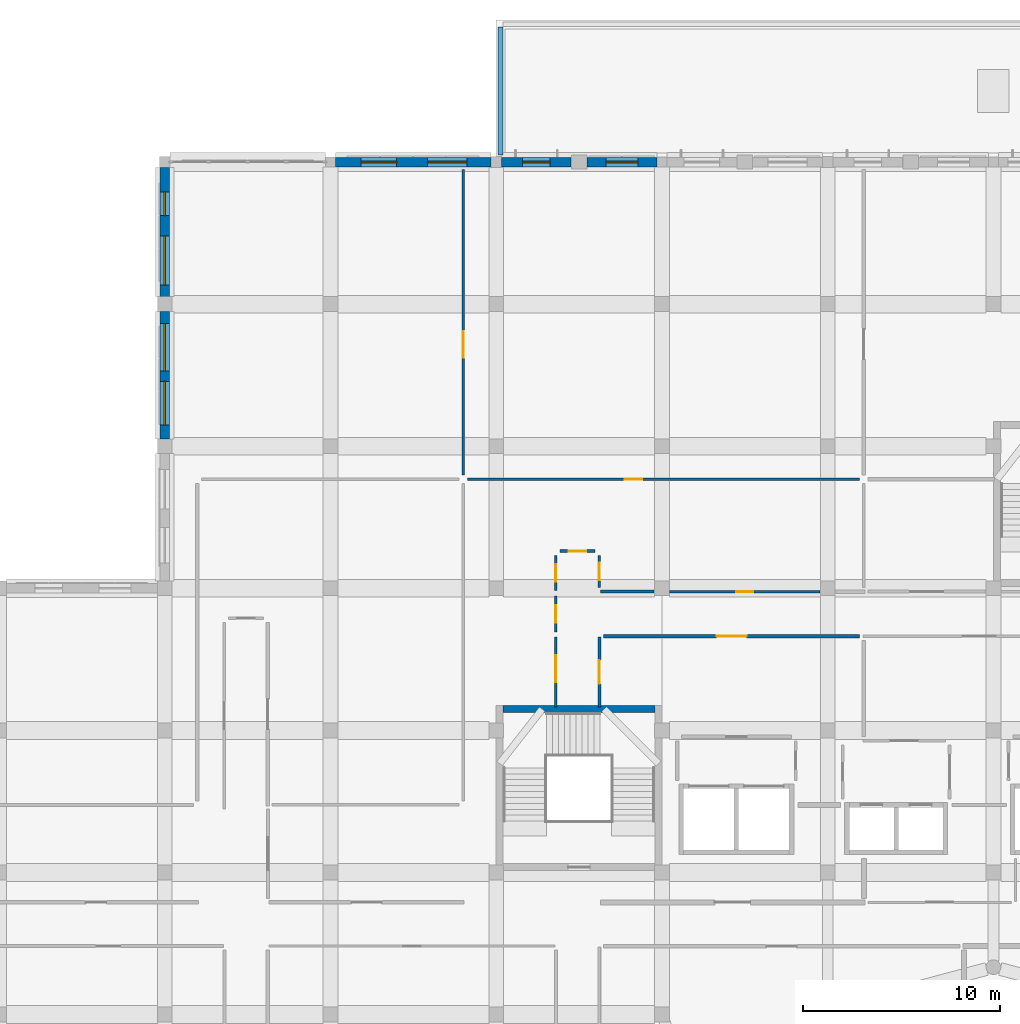
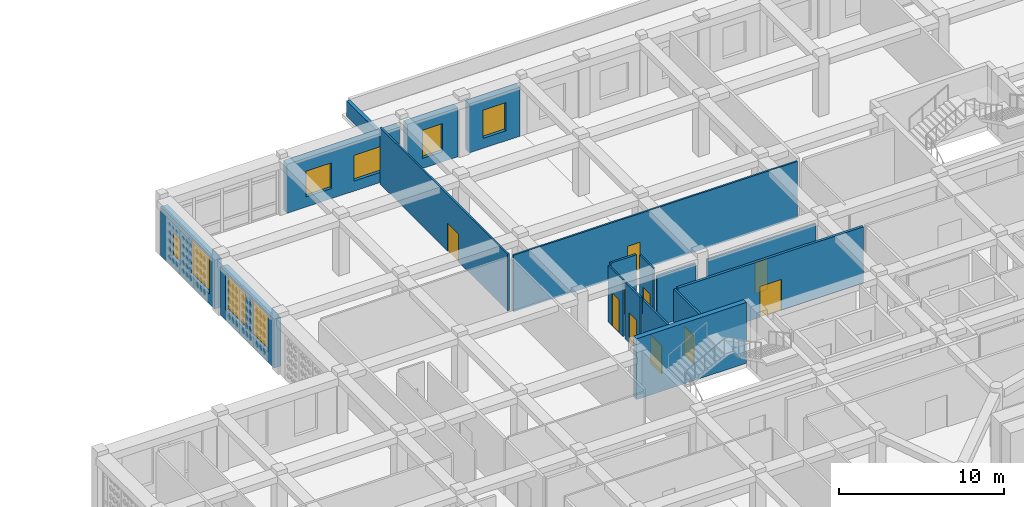
# One storey, part 67 of 111: 18 walls, 10 doors, 8 windows, 18 openings.
"""IFC4 building model written with IfcOpenShell, lengths in metres."""

from ifc_helpers import new_model, si_unit, derived_unit, direction, frame, frame_2d, origin, place, context, subcontext, project, spatial, rectangle, extrude, material, layer, layer_set, type_object, element, fill, save


model = new_model("IFC4")

# Units and contexts
model_context = context("Model", 3, precision=1e-05, world=origin(), true_north=direction((0.0, 1.0)))
body_context = subcontext(model_context, "Body", "Model", "MODEL_VIEW")
ifc_project = project(units=[si_unit("LENGTHUNIT", "METRE"), si_unit("AREAUNIT", "SQUARE_METRE"), si_unit("VOLUMEUNIT", "CUBIC_METRE"), si_unit("PLANEANGLEUNIT", "RADIAN"), si_unit("MASSUNIT", "GRAM", prefix="KILO"), derived_unit("THERMALTRANSMITTANCEUNIT", [(si_unit("POWERUNIT", "WATT"), 1), (si_unit("LENGTHUNIT", "METRE"), -2), (si_unit("THERMODYNAMICTEMPERATUREUNIT", "KELVIN"), -1)])], contexts=[model_context])

# Site, building, storey
site_placement = place(None, origin())
site = spatial("IfcSite", under=ifc_project, at=site_placement, CompositionType="ELEMENT")
building_placement = place(site_placement, origin())
building = spatial("IfcBuilding", under=site, at=building_placement, Name="Veybourne Emporium", CompositionType="ELEMENT")
storey_placement = place(building_placement, frame((0.0, 0.0, 9.89990234375)))
storey = spatial("IfcBuildingStorey", under=building, at=storey_placement, Name="L02", CompositionType="ELEMENT", Elevation=9.89990234375)

# Wall, openings, windows
ifc_material_1 = material(Name="Portland Limestone Ashlar", Category="masonry")
ifc_layer_1 = layer(ifc_material_1, 0.47998046875)
ifc_layer_set_1 = layer_set([ifc_layer_1], Name="Portland Limestone Ashlar")
wall_type_1 = type_object("IfcWallType", Name="ExtWall_EW-01", PredefinedType="SOLIDWALL", material=ifc_layer_set_1)
wall_1_placement = place(storey_placement, frame((33.60009765625, 93.97509765625, 0.0), z_axis=(0.0, 0.0, 1.0), x_axis=(0.0, 1.0, 0.0)))
wall_1 = element("IfcWall", 1, at=wall_1_placement, inside=storey, type_object=wall_type_1, Name="L02 Portland stone external wall 023", PredefinedType="SOLIDWALL", context=body_context, shape_type="SweptSolid", body=[
    extrude(rectangle(XDim=6.449951171875, YDim=0.47998046875, at=frame_2d((3.22509765625, 0.0))), origin(), (0.0, 0.0, 1.0), 3.630126953125),
])
opening_1_placement = place(wall_1_placement, frame((0.7060546875, 0.0, 0.75)))
opening_1 = element("IfcOpeningElement", 2, at=opening_1_placement, cuts=wall_1, Name="Opening W-54", PredefinedType="OPENING", context=body_context, shape_type="SweptSolid", body=[
    extrude(rectangle(XDim=2.199951171875, YDim=2.72998046875, at=frame_2d((1.10009765625, 1.364990234375))), frame((0.0, 0.260009765625, 0.0), z_axis=(0.0, -1.0, 0.0), x_axis=(1.0, 0.0, 0.0)), (0.0, 0.0, 1.0), 0.52001953125),
])
opening_2_placement = place(wall_1_placement, frame((3.444091796875, 0.0, 0.75)))
opening_2 = element("IfcOpeningElement", 3, at=opening_2_placement, cuts=wall_1, Name="Opening W-55", PredefinedType="OPENING", context=body_context, shape_type="SweptSolid", body=[
    extrude(rectangle(XDim=2.39990234375, YDim=2.72998046875, at=frame_2d((1.199951171875, 1.364990234375))), frame((0.0, 0.260009765625, 0.0), z_axis=(0.0, -1.0, 0.0), x_axis=(1.0, 0.0, 0.0)), (0.0, 0.0, 1.0), 0.52001953125),
])
ifc_material_2 = material(Name="Low-E Triple Glazing", Category="glass")
window_type_1 = type_object("IfcWindowType", Name="Win_W-54", PartitioningType="TRIPLE_PANEL_VERTICAL", PredefinedType="WINDOW", material=ifc_material_2)
window_1_placement = place(opening_1_placement, origin())
window_1 = element("IfcWindow", 4, at=window_1_placement, inside=storey, type_object=window_type_1, Name="L02 tripartite bronze casement window W-54 (23.1)", OverallHeight=2.72998046875, OverallWidth=2.199951171875, PartitioningType="TRIPLE_PANEL_VERTICAL", PredefinedType="WINDOW", context=body_context, shape_type="SweptSolid", body=[
    extrude(rectangle(XDim=2.199951171875, YDim=2.72998046875, at=frame_2d((1.10009765625, 1.364990234375))), frame((0.0, 0.030029296875, 0.0), z_axis=(0.0, -1.0, 0.0), x_axis=(1.0, 0.0, 0.0)), (0.0, 0.0, 1.0), 0.06005859375),
])
fill(opening_1, window_1)
window_type_2 = type_object("IfcWindowType", Name="Win_W-55", PartitioningType="TRIPLE_PANEL_VERTICAL", PredefinedType="WINDOW", material=ifc_material_2)
window_2_placement = place(opening_2_placement, origin())
window_2 = element("IfcWindow", 5, at=window_2_placement, inside=storey, type_object=window_type_2, Name="L02 tripartite bronze casement window W-55 (23.2)", OverallHeight=2.72998046875, OverallWidth=2.39990234375, PartitioningType="TRIPLE_PANEL_VERTICAL", PredefinedType="WINDOW", context=body_context, shape_type="SweptSolid", body=[
    extrude(rectangle(XDim=2.39990234375, YDim=2.72998046875, at=frame_2d((1.199951171875, 1.364990234375))), frame((0.0, 0.030029296875, 0.0), z_axis=(0.0, -1.0, 0.0), x_axis=(1.0, 0.0, 0.0)), (0.0, 0.0, 1.0), 0.06005859375),
])
fill(opening_2, window_2)

wall_2_placement = place(storey_placement, frame((33.60009765625, 101.175048828125, 0.0), z_axis=(0.0, 0.0, 1.0), x_axis=(0.0, 1.0, 0.0)))
wall_2 = element("IfcWall", 6, at=wall_2_placement, inside=storey, type_object=wall_type_1, Name="L02 Portland stone external wall 025", PredefinedType="SOLIDWALL", context=body_context, shape_type="SweptSolid", body=[
    extrude(rectangle(XDim=6.550048828125, YDim=0.47998046875, at=frame_2d((3.27490234375, 0.0))), origin(), (0.0, 0.0, 1.0), 3.630126953125),
])
opening_3_placement = place(wall_2_placement, frame((0.589111328125, 0.0, 0.75)))
opening_3 = element("IfcOpeningElement", 7, at=opening_3_placement, cuts=wall_2, Name="Opening W-56", PredefinedType="OPENING", context=body_context, shape_type="SweptSolid", body=[
    extrude(rectangle(XDim=2.489990234375, YDim=2.72998046875, at=frame_2d((1.2451171875, 1.364990234375))), frame((0.0, 0.260009765625, 0.0), z_axis=(0.0, -1.0, 0.0), x_axis=(1.0, 0.0, 0.0)), (0.0, 0.0, 1.0), 0.52001953125),
])
opening_4_placement = place(wall_2_placement, frame((4.115966796875, 0.0, 0.75)))
opening_4 = element("IfcOpeningElement", 8, at=opening_4_placement, cuts=wall_2, Name="Opening W-01", PredefinedType="OPENING", context=body_context, shape_type="SweptSolid", body=[
    extrude(rectangle(XDim=1.199951171875, YDim=1.89990234375, at=frame_2d((0.60009765625, 0.949951171875))), frame((0.0, 0.260009765625, 0.0), z_axis=(0.0, -1.0, 0.0), x_axis=(1.0, 0.0, 0.0)), (0.0, 0.0, 1.0), 0.52001953125),
])
window_type_3 = type_object("IfcWindowType", Name="Win_W-01", PartitioningType="SINGLE_PANEL", PredefinedType="WINDOW", material=ifc_material_2)
window_3_placement = place(opening_4_placement, origin())
window_3 = element("IfcWindow", 9, at=window_3_placement, inside=storey, type_object=window_type_3, Name="L02 tripartite bronze casement window W-01 (25.2)", OverallHeight=1.89990234375, OverallWidth=1.199951171875, PartitioningType="SINGLE_PANEL", PredefinedType="WINDOW", context=body_context, shape_type="SweptSolid", body=[
    extrude(rectangle(XDim=1.199951171875, YDim=1.89990234375, at=frame_2d((0.60009765625, 0.949951171875))), frame((0.0, 0.030029296875, 0.0), z_axis=(0.0, -1.0, 0.0), x_axis=(1.0, 0.0, 0.0)), (0.0, 0.0, 1.0), 0.06005859375),
])
fill(opening_4, window_3)
window_type_4 = type_object("IfcWindowType", Name="Win_W-56", PartitioningType="TRIPLE_PANEL_VERTICAL", PredefinedType="WINDOW", material=ifc_material_2)
window_4_placement = place(opening_3_placement, origin())
window_4 = element("IfcWindow", 10, at=window_4_placement, inside=storey, type_object=window_type_4, Name="L02 tripartite bronze casement window W-56 (25.1)", OverallHeight=2.72998046875, OverallWidth=2.489990234375, PartitioningType="TRIPLE_PANEL_VERTICAL", PredefinedType="WINDOW", context=body_context, shape_type="SweptSolid", body=[
    extrude(rectangle(XDim=2.489990234375, YDim=2.72998046875, at=frame_2d((1.2451171875, 1.364990234375))), frame((0.0, 0.030029296875, 0.0), z_axis=(0.0, -1.0, 0.0), x_axis=(1.0, 0.0, 0.0)), (0.0, 0.0, 1.0), 0.06005859375),
])
fill(opening_3, window_4)

wall_3_placement = place(storey_placement, frame((42.25, 108.0, 0.0), z_axis=(0.0, 0.0, 1.0), x_axis=(1.0, 0.0, 0.0)))
wall_3 = element("IfcWall", 11, at=wall_3_placement, inside=storey, type_object=wall_type_1, Name="L02 Portland stone external wall 028", PredefinedType="SOLIDWALL", context=body_context, shape_type="SweptSolid", body=[
    extrude(rectangle(XDim=7.875, YDim=0.47998046875, at=frame_2d((3.9375, 0.0))), origin(), (0.0, 0.0, 1.0), 3.630126953125),
])
opening_5_placement = place(wall_3_placement, frame((1.304931640625, 0.0, 0.75)))
opening_5 = element("IfcOpeningElement", 12, at=opening_5_placement, cuts=wall_3, Name="Opening W-04", PredefinedType="OPENING", context=body_context, shape_type="SweptSolid", body=[
    extrude(rectangle(XDim=1.800048828125, YDim=1.89990234375, at=frame_2d((0.89990234375, 0.949951171875))), frame((0.0, 0.260009765625, 0.0), z_axis=(0.0, -1.0, 0.0), x_axis=(1.0, 0.0, 0.0)), (0.0, 0.0, 1.0), 0.52001953125),
])
opening_6_placement = place(wall_3_placement, frame((4.669921875, 0.0, 0.75)))
opening_6 = element("IfcOpeningElement", 13, at=opening_6_placement, cuts=wall_3, Name="Opening W-05", PredefinedType="OPENING", context=body_context, shape_type="SweptSolid", body=[
    extrude(rectangle(XDim=2.0, YDim=1.89990234375, at=frame_2d((1.0, 0.949951171875))), frame((0.0, 0.260009765625, 0.0), z_axis=(0.0, -1.0, 0.0), x_axis=(1.0, 0.0, 0.0)), (0.0, 0.0, 1.0), 0.52001953125),
])
window_type_5 = type_object("IfcWindowType", Name="Win_W-04", PartitioningType="DOUBLE_PANEL_VERTICAL", PredefinedType="WINDOW", material=ifc_material_2)
window_5_placement = place(opening_5_placement, origin())
window_5 = element("IfcWindow", 14, at=window_5_placement, inside=storey, type_object=window_type_5, Name="L02 tripartite bronze casement window W-04 (28.1)", OverallHeight=1.89990234375, OverallWidth=1.800048828125, PartitioningType="DOUBLE_PANEL_VERTICAL", PredefinedType="WINDOW", context=body_context, shape_type="SweptSolid", body=[
    extrude(rectangle(XDim=1.800048828125, YDim=1.89990234375, at=frame_2d((0.89990234375, 0.949951171875))), frame((0.0, 0.030029296875, 0.0), z_axis=(0.0, -1.0, 0.0), x_axis=(1.0, 0.0, 0.0)), (0.0, 0.0, 1.0), 0.06005859375),
])
fill(opening_5, window_5)
window_type_6 = type_object("IfcWindowType", Name="Win_W-05", PartitioningType="TRIPLE_PANEL_VERTICAL", PredefinedType="WINDOW", material=ifc_material_2)
window_6_placement = place(opening_6_placement, origin())
window_6 = element("IfcWindow", 15, at=window_6_placement, inside=storey, type_object=window_type_6, Name="L02 tripartite bronze casement window W-05 (28.2)", OverallHeight=1.89990234375, OverallWidth=2.0, PartitioningType="TRIPLE_PANEL_VERTICAL", PredefinedType="WINDOW", context=body_context, shape_type="SweptSolid", body=[
    extrude(rectangle(XDim=2.0, YDim=1.89990234375, at=frame_2d((1.0, 0.949951171875))), frame((0.0, 0.030029296875, 0.0), z_axis=(0.0, -1.0, 0.0), x_axis=(1.0, 0.0, 0.0)), (0.0, 0.0, 1.0), 0.06005859375),
])
fill(opening_6, window_6)

# Wall, opening, window
wall_4_placement = place(storey_placement, frame((50.675048828125, 108.0, 0.0), z_axis=(0.0, 0.0, 1.0), x_axis=(1.0, 0.0, 0.0)))
wall_4 = element("IfcWall", 16, at=wall_4_placement, inside=storey, type_object=wall_type_1, Name="L02 Portland stone external wall 032A", PredefinedType="SOLIDWALL", context=body_context, shape_type="SweptSolid", body=[
    extrude(rectangle(XDim=3.52490234375, YDim=0.47998046875, at=frame_2d((1.762451171875, 0.0))), origin(), (0.0, 0.0, 1.0), 3.630126953125),
])
opening_7_placement = place(wall_4_placement, frame((1.0625, 0.0, 0.75)))
opening_7 = element("IfcOpeningElement", 17, at=opening_7_placement, cuts=wall_4, Name="Opening W-10", PredefinedType="OPENING", context=body_context, shape_type="SweptSolid", body=[
    extrude(rectangle(XDim=1.39990234375, YDim=2.080078125, at=frame_2d((0.699951171875, 1.0400390625))), frame((0.0, 0.260009765625, 0.0), z_axis=(0.0, -1.0, 0.0), x_axis=(1.0, 0.0, 0.0)), (0.0, 0.0, 1.0), 0.52001953125),
])
window_type_7 = type_object("IfcWindowType", Name="Win_W-10", PartitioningType="DOUBLE_PANEL_VERTICAL", PredefinedType="WINDOW", material=ifc_material_2)
window_7_placement = place(opening_7_placement, origin())
window_7 = element("IfcWindow", 18, at=window_7_placement, inside=storey, type_object=window_type_7, Name="L02 tripartite bronze casement window W-10 (32A)", OverallHeight=2.080078125, OverallWidth=1.39990234375, PartitioningType="DOUBLE_PANEL_VERTICAL", PredefinedType="WINDOW", context=body_context, shape_type="SweptSolid", body=[
    extrude(rectangle(XDim=1.39990234375, YDim=2.080078125, at=frame_2d((0.699951171875, 1.0400390625))), frame((0.0, 0.030029296875, 0.0), z_axis=(0.0, -1.0, 0.0), x_axis=(1.0, 0.0, 0.0)), (0.0, 0.0, 1.0), 0.06005859375),
])
fill(opening_7, window_7)

wall_5_placement = place(storey_placement, frame((55.0, 108.0, 0.0), z_axis=(0.0, 0.0, 1.0), x_axis=(1.0, 0.0, 0.0)))
wall_5 = element("IfcWall", 19, at=wall_5_placement, inside=storey, type_object=wall_type_1, Name="L02 Portland stone external wall 032B", PredefinedType="SOLIDWALL", context=body_context, shape_type="SweptSolid", body=[
    extrude(rectangle(XDim=3.550048828125, YDim=0.47998046875, at=frame_2d((1.77490234375, 0.0))), origin(), (0.0, 0.0, 1.0), 3.630126953125),
])
opening_8_placement = place(wall_5_placement, frame((0.97509765625, 0.0, 0.75)))
opening_8 = element("IfcOpeningElement", 20, at=opening_8_placement, cuts=wall_5, Name="Opening W-11", PredefinedType="OPENING", context=body_context, shape_type="SweptSolid", body=[
    extrude(rectangle(XDim=1.60009765625, YDim=2.080078125, at=frame_2d((0.800048828125, 1.0400390625))), frame((0.0, 0.260009765625, 0.0), z_axis=(0.0, -1.0, 0.0), x_axis=(1.0, 0.0, 0.0)), (0.0, 0.0, 1.0), 0.52001953125),
])
window_type_8 = type_object("IfcWindowType", Name="Win_W-11", PartitioningType="DOUBLE_PANEL_VERTICAL", PredefinedType="WINDOW", material=ifc_material_2)
window_8_placement = place(opening_8_placement, origin())
window_8 = element("IfcWindow", 21, at=window_8_placement, inside=storey, type_object=window_type_8, Name="L02 tripartite bronze casement window W-11 (32B)", OverallHeight=2.080078125, OverallWidth=1.60009765625, PartitioningType="DOUBLE_PANEL_VERTICAL", PredefinedType="WINDOW", context=body_context, shape_type="SweptSolid", body=[
    extrude(rectangle(XDim=1.60009765625, YDim=2.080078125, at=frame_2d((0.800048828125, 1.0400390625))), frame((0.0, 0.030029296875, 0.0), z_axis=(0.0, -1.0, 0.0), x_axis=(1.0, 0.0, 0.0)), (0.0, 0.0, 1.0), 0.06005859375),
])
fill(opening_8, window_8)

# Walls
ifc_material_3 = material(Name="Precast concrete C40/50", Category="concrete")
ifc_layer_2 = layer(ifc_material_3, 0.239990234375)
ifc_layer_set_2 = layer_set([ifc_layer_2], Name="Precast concrete C40/50")
wall_type_2 = type_object("IfcWallType", Name="ExtWall_PW-02", PredefinedType="PARAPET", material=ifc_layer_set_2)
wall_6_placement = place(storey_placement, frame((50.6201171875, 108.35009765625, 0.0), z_axis=(0.0, 0.0, 1.0), x_axis=(0.0, 1.0, 0.0)))
element("IfcWall", 22, at=wall_6_placement, inside=storey, type_object=wall_type_2, Name="L02 roof parapet wall 004", PredefinedType="PARAPET", context=body_context, shape_type="SweptSolid", body=[
    extrude(rectangle(XDim=6.5, YDim=0.239990234375, at=frame_2d((3.25, 0.0))), origin(), (0.0, 0.0, 1.0), 1.150146484375),
])
ifc_material_4 = material(Name="Concrete C40/50", Category="concrete")
ifc_layer_3 = layer(ifc_material_4, 0.35009765625)
ifc_layer_set_3 = layer_set([ifc_layer_3], Name="Concrete C40/50")
wall_type_3 = type_object("IfcWallType", Name="IntWall_CW-02", PredefinedType="SHEAR", material=ifc_layer_set_3)
wall_7_placement = place(storey_placement, frame((50.75, 80.27490234375, 0.0), z_axis=(0.0, 0.0, 1.0), x_axis=(1.0, 0.0, 0.0)))
element("IfcWall", 23, at=wall_7_placement, inside=storey, type_object=wall_type_3, Name="Core stair ST-03 north shear wall (L02)", PredefinedType="SHEAR", context=body_context, shape_type="SweptSolid", body=[
    extrude(rectangle(XDim=7.699951171875, YDim=0.35009765625, at=frame_2d((3.85009765625, 0.0))), origin(), (0.0, 0.0, 1.0), 4.5),
])

# Wall, opening, door
ifc_material_5 = material(Name="Gypsum Acoustic Board", Category="gypsum")
ifc_layer_4 = layer(ifc_material_5, 0.179931640625)
ifc_layer_set_4 = layer_set([ifc_layer_4], Name="Gypsum Acoustic Board")
wall_type_4 = type_object("IfcWallType", Name="IntWall_IW-01", PredefinedType="PARTITIONING", material=ifc_layer_set_4)
wall_8_placement = place(storey_placement, frame((55.840087890625, 83.969970703125, 0.0), z_axis=(0.0, 0.0, 1.0), x_axis=(1.0, 0.0, 0.0)))
wall_8 = element("IfcWall", 24, at=wall_8_placement, inside=storey, type_object=wall_type_4, Name="L02 interior partition IW-01 #039", PredefinedType="PARTITIONING", context=body_context, shape_type="SweptSolid", body=[
    extrude(rectangle(XDim=12.97998046875, YDim=0.179931640625, at=frame_2d((6.489990234375, 0.0))), origin(), (0.0, 0.0, 1.0), 4.18017578125),
])
opening_9_placement = place(wall_8_placement, frame((5.72998046875, 0.0, 0.0)))
opening_9 = element("IfcOpeningElement", 25, at=opening_9_placement, cuts=wall_8, Name="Opening D-23", PredefinedType="OPENING", context=body_context, shape_type="SweptSolid", body=[
    extrude(rectangle(XDim=1.52001953125, YDim=2.2900390625, at=frame_2d((0.760009765625, 1.14501953125))), frame((0.0, 0.10986328125, 0.0), z_axis=(0.0, -1.0, 0.0), x_axis=(1.0, 0.0, 0.0)), (0.0, 0.0, 1.0), 0.219970703125),
])
ifc_material_6 = material(Name="European Oak Veneer and Bronze", Category="wood")
door_type_1 = type_object("IfcDoorType", Name="IntDoor_D-23", OperationType="NOTDEFINED", PredefinedType="DOOR", material=ifc_material_6)
door_1_placement = place(opening_9_placement, origin())
door_1 = element("IfcDoor", 26, at=door_1_placement, inside=storey, type_object=door_type_1, Name="L02 interior door D-23 (PART-L02-039)", OperationType="SINGLE_SWING_RIGHT", OverallHeight=2.2900390625, OverallWidth=1.52001953125, PredefinedType="DOOR", context=body_context, shape_type="SweptSolid", body=[
    extrude(rectangle(XDim=1.52001953125, YDim=2.2900390625, at=frame_2d((0.760009765625, 1.14501953125))), frame((0.0, 0.02490234375, 0.0), z_axis=(0.0, -1.0, 0.0), x_axis=(1.0, 0.0, 0.0)), (0.0, 0.0, 1.0), 0.050048828125),
])
fill(opening_9, door_1)

# Wall
ifc_layer_5 = layer(ifc_material_5, 0.14990234375)
ifc_layer_set_5 = layer_set([ifc_layer_5], Name="Gypsum Acoustic Board")
wall_type_5 = type_object("IfcWallType", Name="IntWall_IW-02", PredefinedType="PARTITIONING", material=ifc_layer_set_5)
wall_9_placement = place(storey_placement, frame((55.679931640625, 86.22998046875, 0.0), z_axis=(0.0, 0.0, 1.0), x_axis=(1.0, 0.0, 0.0)))
element("IfcWall", 27, at=wall_9_placement, inside=storey, type_object=wall_type_5, Name="L02 interior partition IW-02 #034", PredefinedType="PARTITIONING", context=body_context, shape_type="SweptSolid", body=[
    extrude(rectangle(XDim=2.72509765625, YDim=0.14990234375, at=frame_2d((1.362548828125, 0.0))), origin(), (0.0, 0.0, 1.0), 3.72998046875),
])

# Wall, opening, door
wall_10_placement = place(storey_placement, frame((55.6298828125, 80.389892578125, 0.0), z_axis=(0.0, 0.0, 1.0), x_axis=(0.0, 1.0, 0.0)))
wall_10 = element("IfcWall", 28, at=wall_10_placement, inside=storey, type_object=wall_type_5, Name="L02 interior partition IW-02 #097", PredefinedType="PARTITIONING", context=body_context, shape_type="SweptSolid", body=[
    extrude(rectangle(XDim=3.530029296875, YDim=0.14990234375, at=frame_2d((1.76513671875, 0.0))), origin(), (0.0, 0.0, 1.0), 4.18017578125),
])
opening_10_placement = place(wall_10_placement, frame((1.1650390625, 0.0, 0.0)))
opening_10 = element("IfcOpeningElement", 29, at=opening_10_placement, cuts=wall_10, Name="Opening D-09", PredefinedType="OPENING", context=body_context, shape_type="SweptSolid", body=[
    extrude(rectangle(XDim=1.199951171875, YDim=2.1298828125, at=frame_2d((0.60009765625, 1.06494140625))), frame((0.0, 0.094970703125, 0.0), z_axis=(0.0, -1.0, 0.0), x_axis=(1.0, 0.0, 0.0)), (0.0, 0.0, 1.0), 0.18994140625),
])
door_type_2 = type_object("IfcDoorType", Name="IntDoor_D-09", OperationType="NOTDEFINED", PredefinedType="DOOR", material=ifc_material_6)
door_2_placement = place(opening_10_placement, origin())
door_2 = element("IfcDoor", 30, at=door_2_placement, inside=storey, type_object=door_type_2, Name="L02 interior door D-09 (PART-L02-097)", OperationType="SINGLE_SWING_LEFT", OverallHeight=2.1298828125, OverallWidth=1.199951171875, PredefinedType="DOOR", context=body_context, shape_type="SweptSolid", body=[
    extrude(rectangle(XDim=1.199951171875, YDim=2.1298828125, at=frame_2d((0.60009765625, 1.06494140625))), frame((0.0, 0.02490234375, 0.0), z_axis=(0.0, -1.0, 0.0), x_axis=(1.0, 0.0, 0.0)), (0.0, 0.0, 1.0), 0.050048828125),
])
fill(opening_10, door_2)

wall_11_placement = place(storey_placement, frame((53.6298828125, 88.280029296875, 0.0), z_axis=(0.0, 0.0, 1.0), x_axis=(1.0, 0.0, 0.0)))
wall_11 = element("IfcWall", 31, at=wall_11_placement, inside=storey, type_object=wall_type_5, Name="L02 interior partition IW-02 #154", PredefinedType="PARTITIONING", context=body_context, shape_type="SweptSolid", body=[
    extrude(rectangle(XDim=1.7900390625, YDim=0.14990234375, at=frame_2d((0.89501953125, 0.0))), origin(), (0.0, 0.0, 1.0), 4.18017578125),
])
opening_11_placement = place(wall_11_placement, frame((0.455078125, 0.0, 0.0)))
opening_11 = element("IfcOpeningElement", 32, at=opening_11_placement, cuts=wall_11, Name="Opening D-01", PredefinedType="OPENING", context=body_context, shape_type="SweptSolid", body=[
    extrude(rectangle(XDim=0.8798828125, YDim=2.050048828125, at=frame_2d((0.43994140625, 1.02490234375))), frame((0.0, 0.094970703125, 0.0), z_axis=(0.0, -1.0, 0.0), x_axis=(1.0, 0.0, 0.0)), (0.0, 0.0, 1.0), 0.18994140625),
])
door_type_3 = type_object("IfcDoorType", Name="IntDoor_D-01", OperationType="NOTDEFINED", PredefinedType="DOOR", material=ifc_material_6)
door_3_placement = place(opening_11_placement, origin())
door_3 = element("IfcDoor", 33, at=door_3_placement, inside=storey, type_object=door_type_3, Name="L02 interior door D-01 (PART-L02-154)", OperationType="SINGLE_SWING_RIGHT", OverallHeight=2.050048828125, OverallWidth=0.8798828125, PredefinedType="DOOR", context=body_context, shape_type="SweptSolid", body=[
    extrude(rectangle(XDim=0.8798828125, YDim=2.050048828125, at=frame_2d((0.43994140625, 1.02490234375))), frame((0.0, 0.02490234375, 0.0), z_axis=(0.0, -1.0, 0.0), x_axis=(1.0, 0.0, 0.0)), (0.0, 0.0, 1.0), 0.050048828125),
])
fill(opening_11, door_3)

ifc_layer_6 = layer(ifc_material_5, 0.1201171875)
ifc_layer_set_6 = layer_set([ifc_layer_6], Name="Gypsum Acoustic Board")
wall_type_6 = type_object("IfcWallType", Name="IntWall_IW-03", PredefinedType="PARTITIONING", material=ifc_layer_set_6)
wall_12_placement = place(storey_placement, frame((59.195068359375, 86.22998046875, 0.0), z_axis=(0.0, 0.0, 1.0), x_axis=(1.0, 0.0, 0.0)))
wall_12 = element("IfcWall", 34, at=wall_12_placement, inside=storey, type_object=wall_type_6, Name="L02 interior partition IW-03 #035", PredefinedType="PARTITIONING", context=body_context, shape_type="SweptSolid", body=[
    extrude(rectangle(XDim=7.60986328125, YDim=0.1201171875, at=frame_2d((3.804931640625, 0.0))), origin(), (0.0, 0.0, 1.0), 3.72998046875),
])
opening_12_placement = place(wall_12_placement, frame((3.364990234375, 0.0, 0.0)))
opening_12 = element("IfcOpeningElement", 35, at=opening_12_placement, cuts=wall_12, Name="Opening D-19", PredefinedType="OPENING", context=body_context, shape_type="SweptSolid", body=[
    extrude(rectangle(XDim=0.8798828125, YDim=2.2900390625, at=frame_2d((0.43994140625, 1.14501953125))), frame((0.0, 0.080078125, 0.0), z_axis=(0.0, -1.0, 0.0), x_axis=(1.0, 0.0, 0.0)), (0.0, 0.0, 1.0), 0.16015625),
])
door_type_4 = type_object("IfcDoorType", Name="IntDoor_D-19", OperationType="NOTDEFINED", PredefinedType="DOOR", material=ifc_material_6)
door_4_placement = place(opening_12_placement, origin())
door_4 = element("IfcDoor", 36, at=door_4_placement, inside=storey, type_object=door_type_4, Name="L02 interior door D-19 (PART-L02-035)", OperationType="SINGLE_SWING_LEFT", OverallHeight=2.2900390625, OverallWidth=0.8798828125, PredefinedType="DOOR", context=body_context, shape_type="SweptSolid", body=[
    extrude(rectangle(XDim=0.8798828125, YDim=2.2900390625, at=frame_2d((0.43994140625, 1.14501953125))), frame((0.0, 0.02490234375, 0.0), z_axis=(0.0, -1.0, 0.0), x_axis=(1.0, 0.0, 0.0)), (0.0, 0.0, 1.0), 0.050048828125),
])
fill(opening_12, door_4)

wall_13_placement = place(storey_placement, frame((53.419921875, 80.389892578125, 0.0), z_axis=(0.0, 0.0, 1.0), x_axis=(0.0, 1.0, 0.0)))
wall_13 = element("IfcWall", 37, at=wall_13_placement, inside=storey, type_object=wall_type_6, Name="L02 interior partition IW-03 #098", PredefinedType="PARTITIONING", context=body_context, shape_type="SweptSolid", body=[
    extrude(rectangle(XDim=3.530029296875, YDim=0.1201171875, at=frame_2d((1.76513671875, 0.0))), origin(), (0.0, 0.0, 1.0), 4.18017578125),
])
opening_13_placement = place(wall_13_placement, frame((1.258544921875, 0.0, 0.0)))
opening_13 = element("IfcOpeningElement", 38, at=opening_13_placement, cuts=wall_13, Name="Opening D-10", PredefinedType="OPENING", context=body_context, shape_type="SweptSolid", body=[
    extrude(rectangle(XDim=1.360107421875, YDim=2.1298828125, at=frame_2d((0.68017578125, 1.06494140625))), frame((0.0, 0.080078125, 0.0), z_axis=(0.0, -1.0, 0.0), x_axis=(1.0, 0.0, 0.0)), (0.0, 0.0, 1.0), 0.16015625),
])
door_type_5 = type_object("IfcDoorType", Name="IntDoor_D-10", OperationType="NOTDEFINED", PredefinedType="DOOR", material=ifc_material_6)
door_5_placement = place(opening_13_placement, origin())
door_5 = element("IfcDoor", 39, at=door_5_placement, inside=storey, type_object=door_type_5, Name="L02 interior door D-10 (PART-L02-098)", OperationType="SINGLE_SWING_RIGHT", OverallHeight=2.1298828125, OverallWidth=1.360107421875, PredefinedType="DOOR", context=body_context, shape_type="SweptSolid", body=[
    extrude(rectangle(XDim=1.360107421875, YDim=2.1298828125, at=frame_2d((0.68017578125, 1.06494140625))), frame((0.0, 0.02490234375, 0.0), z_axis=(0.0, -1.0, 0.0), x_axis=(1.0, 0.0, 0.0)), (0.0, 0.0, 1.0), 0.050048828125),
])
fill(opening_13, door_5)

wall_14_placement = place(storey_placement, frame((53.419921875, 84.179931640625, 0.0), z_axis=(0.0, 0.0, 1.0), x_axis=(0.0, 1.0, 0.0)))
wall_14 = element("IfcWall", 40, at=wall_14_placement, inside=storey, type_object=wall_type_6, Name="L02 interior partition IW-03 #137", PredefinedType="PARTITIONING", context=body_context, shape_type="SweptSolid", body=[
    extrude(rectangle(XDim=1.840087890625, YDim=0.1201171875, at=frame_2d((0.919921875, 0.0))), origin(), (0.0, 0.0, 1.0), 4.18017578125),
])
opening_14_placement = place(wall_14_placement, frame((0.47998046875, 0.0, 0.0)))
opening_14 = element("IfcOpeningElement", 41, at=opening_14_placement, cuts=wall_14, Name="Opening D-13", PredefinedType="OPENING", context=body_context, shape_type="SweptSolid", body=[
    extrude(rectangle(XDim=0.8798828125, YDim=2.2099609375, at=frame_2d((0.43994140625, 1.10498046875))), frame((0.0, 0.080078125, 0.0), z_axis=(0.0, -1.0, 0.0), x_axis=(1.0, 0.0, 0.0)), (0.0, 0.0, 1.0), 0.16015625),
])
door_type_6 = type_object("IfcDoorType", Name="IntDoor_D-13", OperationType="NOTDEFINED", PredefinedType="DOOR", material=ifc_material_6)
door_6_placement = place(opening_14_placement, origin())
door_6 = element("IfcDoor", 42, at=door_6_placement, inside=storey, type_object=door_type_6, Name="L02 interior door D-13 (PART-L02-137)", OperationType="SINGLE_SWING_LEFT", OverallHeight=2.2099609375, OverallWidth=0.8798828125, PredefinedType="DOOR", context=body_context, shape_type="SweptSolid", body=[
    extrude(rectangle(XDim=0.8798828125, YDim=2.2099609375, at=frame_2d((0.43994140625, 1.10498046875))), frame((0.0, 0.02490234375, 0.0), z_axis=(0.0, -1.0, 0.0), x_axis=(1.0, 0.0, 0.0)), (0.0, 0.0, 1.0), 0.050048828125),
])
fill(opening_14, door_6)

wall_15_placement = place(storey_placement, frame((53.419921875, 86.280029296875, 0.0), z_axis=(0.0, 0.0, 1.0), x_axis=(0.0, 1.0, 0.0)))
wall_15 = element("IfcWall", 43, at=wall_15_placement, inside=storey, type_object=wall_type_6, Name="L02 interior partition IW-03 #155", PredefinedType="PARTITIONING", context=body_context, shape_type="SweptSolid", body=[
    extrude(rectangle(XDim=1.7900390625, YDim=0.1201171875, at=frame_2d((0.89501953125, 0.0))), origin(), (0.0, 0.0, 1.0), 4.18017578125),
])
opening_15_placement = place(wall_15_placement, frame((0.455078125, 0.0, 0.0)))
opening_15 = element("IfcOpeningElement", 44, at=opening_15_placement, cuts=wall_15, Name="Opening D-31", PredefinedType="OPENING", context=body_context, shape_type="SweptSolid", body=[
    extrude(rectangle(XDim=0.8798828125, YDim=2.449951171875, at=frame_2d((0.43994140625, 1.22509765625))), frame((0.0, 0.080078125, 0.0), z_axis=(0.0, -1.0, 0.0), x_axis=(1.0, 0.0, 0.0)), (0.0, 0.0, 1.0), 0.16015625),
])
door_type_7 = type_object("IfcDoorType", Name="IntDoor_D-31", OperationType="NOTDEFINED", PredefinedType="DOOR", material=ifc_material_6)
door_7_placement = place(opening_15_placement, origin())
door_7 = element("IfcDoor", 45, at=door_7_placement, inside=storey, type_object=door_type_7, Name="L02 interior door D-31 (PART-L02-155)", OperationType="SINGLE_SWING_LEFT", OverallHeight=2.449951171875, OverallWidth=0.8798828125, PredefinedType="DOOR", context=body_context, shape_type="SweptSolid", body=[
    extrude(rectangle(XDim=0.8798828125, YDim=2.449951171875, at=frame_2d((0.43994140625, 1.22509765625))), frame((0.0, 0.02490234375, 0.0), z_axis=(0.0, -1.0, 0.0), x_axis=(1.0, 0.0, 0.0)), (0.0, 0.0, 1.0), 0.050048828125),
])
fill(opening_15, door_7)

wall_16_placement = place(storey_placement, frame((55.6298828125, 86.43994140625, 0.0), z_axis=(0.0, 0.0, 1.0), x_axis=(0.0, 1.0, 0.0)))
wall_16 = element("IfcWall", 46, at=wall_16_placement, inside=storey, type_object=wall_type_6, Name="L02 interior partition IW-03 #158", PredefinedType="PARTITIONING", context=body_context, shape_type="SweptSolid", body=[
    extrude(rectangle(XDim=1.630126953125, YDim=0.1201171875, at=frame_2d((0.81494140625, 0.0))), origin(), (0.0, 0.0, 1.0), 4.18017578125),
])
opening_16_placement = place(wall_16_placement, frame((0.375, 0.0, 0.0)))
opening_16 = element("IfcOpeningElement", 47, at=opening_16_placement, cuts=wall_16, Name="Opening D-01", PredefinedType="OPENING", context=body_context, shape_type="SweptSolid", body=[
    extrude(rectangle(XDim=0.8798828125, YDim=2.050048828125, at=frame_2d((0.43994140625, 1.02490234375))), frame((0.0, 0.080078125, 0.0), z_axis=(0.0, -1.0, 0.0), x_axis=(1.0, 0.0, 0.0)), (0.0, 0.0, 1.0), 0.16015625),
])
door_8_placement = place(opening_16_placement, origin())
door_8 = element("IfcDoor", 48, at=door_8_placement, inside=storey, type_object=door_type_3, Name="L02 interior door D-01 (PART-L02-158)", OperationType="SINGLE_SWING_RIGHT", OverallHeight=2.050048828125, OverallWidth=0.8798828125, PredefinedType="DOOR", context=body_context, shape_type="SweptSolid", body=[
    extrude(rectangle(XDim=0.8798828125, YDim=2.050048828125, at=frame_2d((0.43994140625, 1.02490234375))), frame((0.0, 0.02490234375, 0.0), z_axis=(0.0, -1.0, 0.0), x_axis=(1.0, 0.0, 0.0)), (0.0, 0.0, 1.0), 0.050048828125),
])
fill(opening_16, door_8)

wall_17_placement = place(storey_placement, frame((48.93994140625, 91.929931640625, 0.0), z_axis=(0.0, 0.0, 1.0), x_axis=(1.0, 0.0, 0.0)))
wall_17 = element("IfcWall", 49, at=wall_17_placement, inside=storey, type_object=wall_type_6, Name="L02 interior partition IW-03 #161", PredefinedType="PARTITIONING", context=body_context, shape_type="SweptSolid", body=[
    extrude(rectangle(XDim=19.880126953125, YDim=0.1201171875, at=frame_2d((9.93994140625, 0.0))), origin(), (0.0, 0.0, 1.0), 4.18017578125),
])
opening_17_placement = place(wall_17_placement, frame((7.97998046875, 0.0, 0.0)))
opening_17 = element("IfcOpeningElement", 50, at=opening_17_placement, cuts=wall_17, Name="Opening D-01", PredefinedType="OPENING", context=body_context, shape_type="SweptSolid", body=[
    extrude(rectangle(XDim=0.8798828125, YDim=2.050048828125, at=frame_2d((0.43994140625, 1.02490234375))), frame((0.0, 0.080078125, 0.0), z_axis=(0.0, -1.0, 0.0), x_axis=(1.0, 0.0, 0.0)), (0.0, 0.0, 1.0), 0.16015625),
])
door_9_placement = place(opening_17_placement, origin())
door_9 = element("IfcDoor", 51, at=door_9_placement, inside=storey, type_object=door_type_3, Name="L02 interior door D-01 (PART-L02-161)", OperationType="SINGLE_SWING_RIGHT", OverallHeight=2.050048828125, OverallWidth=0.8798828125, PredefinedType="DOOR", context=body_context, shape_type="SweptSolid", body=[
    extrude(rectangle(XDim=0.8798828125, YDim=2.050048828125, at=frame_2d((0.43994140625, 1.02490234375))), frame((0.0, 0.02490234375, 0.0), z_axis=(0.0, -1.0, 0.0), x_axis=(1.0, 0.0, 0.0)), (0.0, 0.0, 1.0), 0.050048828125),
])
fill(opening_17, door_9)

wall_18_placement = place(storey_placement, frame((48.72998046875, 92.139892578125, 0.0), z_axis=(0.0, 0.0, 1.0), x_axis=(0.0, 1.0, 0.0)))
wall_18 = element("IfcWall", 52, at=wall_18_placement, inside=storey, type_object=wall_type_6, Name="L02 interior partition IW-03 #167", PredefinedType="PARTITIONING", context=body_context, shape_type="SweptSolid", body=[
    extrude(rectangle(XDim=15.489990234375, YDim=0.1201171875, at=frame_2d((7.7451171875, 0.0))), origin(), (0.0, 0.0, 1.0), 4.18017578125),
])
opening_18_placement = place(wall_18_placement, frame((5.9345703125, 0.0, 0.0)))
opening_18 = element("IfcOpeningElement", 53, at=opening_18_placement, cuts=wall_18, Name="Opening D-04", PredefinedType="OPENING", context=body_context, shape_type="SweptSolid", body=[
    extrude(rectangle(XDim=1.360107421875, YDim=2.050048828125, at=frame_2d((0.68017578125, 1.02490234375))), frame((0.0, 0.080078125, 0.0), z_axis=(0.0, -1.0, 0.0), x_axis=(1.0, 0.0, 0.0)), (0.0, 0.0, 1.0), 0.16015625),
])
door_type_8 = type_object("IfcDoorType", Name="IntDoor_D-04", OperationType="NOTDEFINED", PredefinedType="DOOR", material=ifc_material_6)
door_10_placement = place(opening_18_placement, origin())
door_10 = element("IfcDoor", 54, at=door_10_placement, inside=storey, type_object=door_type_8, Name="L02 interior door D-04 (PART-L02-167)", OperationType="SINGLE_SWING_LEFT", OverallHeight=2.050048828125, OverallWidth=1.360107421875, PredefinedType="DOOR", context=body_context, shape_type="SweptSolid", body=[
    extrude(rectangle(XDim=1.360107421875, YDim=2.050048828125, at=frame_2d((0.68017578125, 1.02490234375))), frame((0.0, 0.02490234375, 0.0), z_axis=(0.0, -1.0, 0.0), x_axis=(1.0, 0.0, 0.0)), (0.0, 0.0, 1.0), 0.050048828125),
])
fill(opening_18, door_10)

save(model, "model.ifc")
